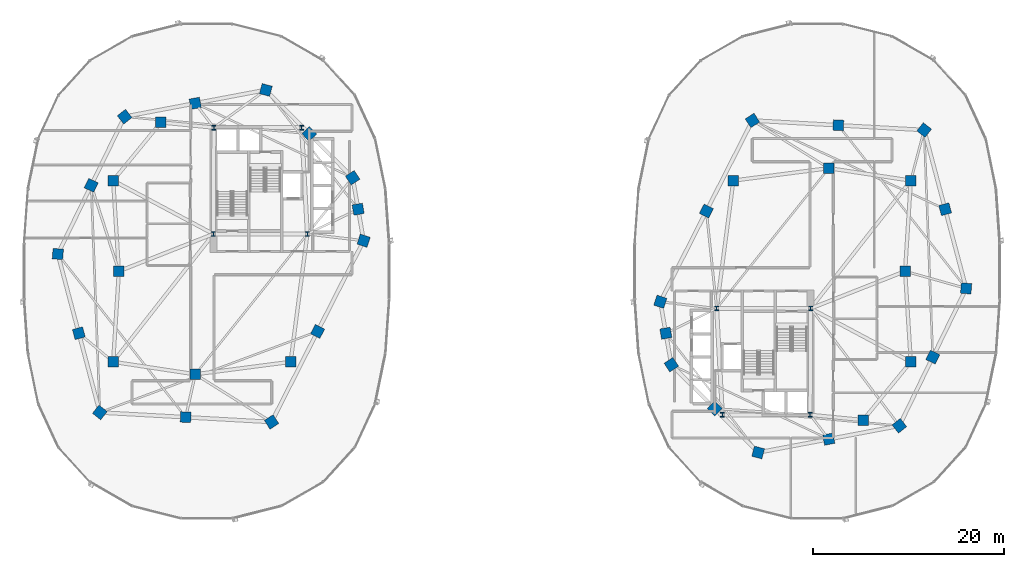
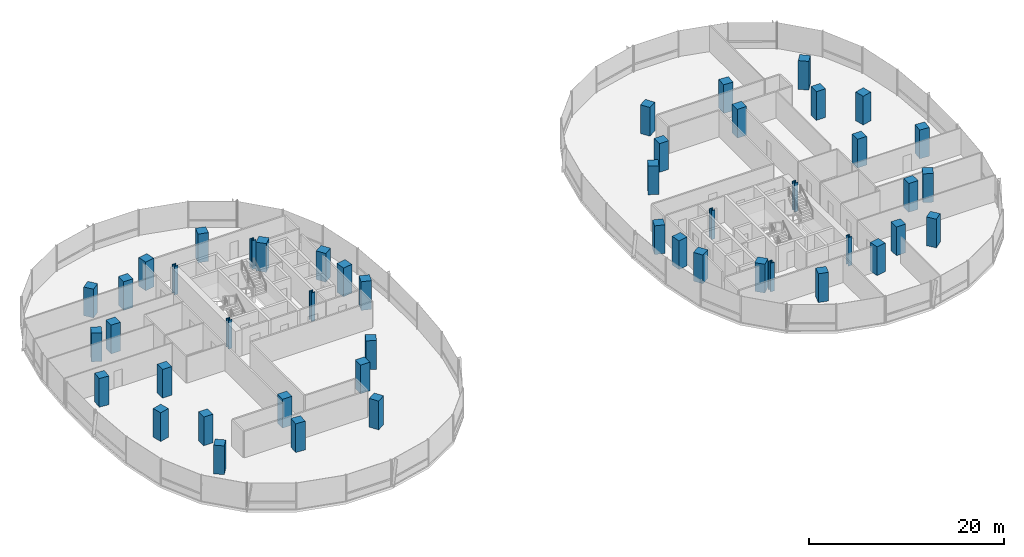
# One storey, part 1 of 21: 48 columns.
"""IFC4 building model written with IfcOpenShell, lengths in metres."""

from ifc_helpers import new_model, si_unit, direction, frame, origin, origin_2d, place, context, subcontext, project, spatial, rectangle, i_section, extrude, material, material_profile, profile_set, type_object, element, save


model = new_model("IFC4")

# Units and contexts
model_context = context("Model", 3, precision=1e-05, world=origin(), true_north=direction((0.0, 1.0)))
body_context = subcontext(model_context, "Body", "Model", "MODEL_VIEW")
ifc_project = project(units=[si_unit("LENGTHUNIT", "METRE"), si_unit("AREAUNIT", "SQUARE_METRE"), si_unit("VOLUMEUNIT", "CUBIC_METRE"), si_unit("PLANEANGLEUNIT", "RADIAN"), si_unit("MASSUNIT", "GRAM", prefix="KILO"), si_unit("THERMODYNAMICTEMPERATUREUNIT", "KELVIN"), si_unit("POWERUNIT", "WATT")], contexts=[model_context])

# Site, building, storey
site_placement = place(None, origin())
site = spatial("IfcSite", under=ifc_project, at=site_placement, CompositionType="ELEMENT")
building_placement = place(site_placement, origin())
building = spatial("IfcBuilding", under=site, at=building_placement, Name="Cundina Bronze Exchange", CompositionType="ELEMENT")
storey_placement = place(building_placement, frame((0.0, 0.0, 85.39990234375)))
storey = spatial("IfcBuildingStorey", under=building, at=storey_placement, Name="L21", CompositionType="ELEMENT", Elevation=85.39990234375)

# Columns
ifc_material_1 = material(Name="Steel ASTM A992 Grade 50", Category="steel")
ifc_material_profile_1 = material_profile(ifc_material_1, i_section(OverallWidth=0.431884765625, OverallDepth=0.498046875, WebThickness=0.0556640625, FlangeThickness=0.0888671875, FilletRadius=0.01806640625, at=origin_2d()), Name="W14X500", Category="steel")
ifc_profile_set_1 = profile_set([ifc_material_profile_1], Name="Steel ASTM A992 Grade 50")
column_type_1 = type_object("IfcColumnType", Name="COL-STL-W14A", PredefinedType="COLUMN", material=ifc_profile_set_1)
for number, where, z_axis, x_axis, name in (
    (1, (-31.300048828125, 3.89990234375, 0.0), (0.0, 0.0, 1.0), (1.0, 0.0, 0.0), "L21 Core Anchor Column W1"),
    (2, (-21.449951171875, 3.89990234375, 0.0), (0.0, 0.0, 1.0), (1.0, 0.0, 0.0), "L21 Core Anchor Column W2"),
    (3, (-22.050048828125, 15.050048828125, 0.0), (0.0, 0.0, 1.0), (1.0, 0.0, 0.0), "L21 Core Anchor Column W3"),
    (4, (-31.25, 15.050048828125, 0.0), (0.0, 0.0, 1.0), (1.0, 0.0, 0.0), "L21 Core Anchor Column W4"),
    (5, (31.300048828125, -3.89990234375, 0.0), (0.0, 0.0, 1.0), (1.0, 0.0, 0.0), "L21 Core Anchor Column E1"),
    (6, (21.449951171875, -3.89990234375, 0.0), (0.0, 0.0, 1.0), (1.0, 0.0, 0.0), "L21 Core Anchor Column E2"),
    (7, (22.050048828125, -15.050048828125, 0.0), (0.0, 0.0, 1.0), (1.0, 0.0, 0.0), "L21 Core Anchor Column E3"),
    (8, (31.25, -15.050048828125, 0.0), (0.0, 0.0, 1.0), (1.0, 0.0, 0.0), "L21 Core Anchor Column E4"),
):
    element("IfcColumn", number, at=place(storey_placement, frame(where, z_axis=z_axis, x_axis=x_axis)), inside=storey, type_object=column_type_1, Name=name, PredefinedType="COLUMN", context=body_context, shape_type="SweptSolid", body=[
        extrude(i_section(OverallWidth=0.431884765625, OverallDepth=0.498046875, WebThickness=0.0556640625, FlangeThickness=0.0888671875, FilletRadius=0.01806640625, at=origin_2d()), origin(), (0.0, 0.0, 1.0), 3.60009765625),
    ])
ifc_material_2 = material(Name="Concrete C60/75", Category="concrete")
ifc_material_profile_2 = material_profile(ifc_material_2, rectangle(XDim=1.10009765625, YDim=1.10009765625, at=origin_2d()), Name="RC1100X1100", Category="concrete")
ifc_profile_set_2 = profile_set([ifc_material_profile_2], Name="Concrete C60/75")
column_type_2 = type_object("IfcColumnType", Name="COL-Z2-1100", PredefinedType="COLUMN", material=ifc_profile_set_2)
for number, where, z_axis, x_axis, name in (
    (9, (-41.199951171875, 0.0, 0.0), (0.0, 0.0, 1.0), (1.0, 0.0, 0.0), "L21 W Inner Ring Column 1"),
    (10, (-41.800048828125, 9.5, 0.0), (0.0, 0.0, 1.0), (1.0, 0.0, 0.0), "L21 W Inner Ring Column 2"),
    (11, (-36.800048828125, 15.60009765625, 0.0), (0.0, 0.0, 1.0), (1.0, 0.0, 0.0), "L21 W Inner Ring Column 3"),
    (12, (-41.800048828125, -9.5, 0.0), (0.0, 0.0, 1.0), (1.0, 0.0, 0.0), "L21 W Inner Ring Column 4"),
    (13, (-33.199951171875, -10.800048828125, 0.0), (0.0, 0.0, 1.0), (1.0, 0.0, 0.0), "L21 W Inner Ring Column 5"),
    (14, (-23.199951171875, -9.5, 0.0), (0.0, 0.0, 1.0), (1.0, 0.0, 0.0), "L21 W Inner Ring Column 6"),
    (15, (41.199951171875, 0.0, 0.0), (0.0, 0.0, 1.0), (1.0, 0.0, 0.0), "L21 E Inner Ring Column 1"),
    (16, (41.800048828125, -9.5, 0.0), (0.0, 0.0, 1.0), (1.0, 0.0, 0.0), "L21 E Inner Ring Column 2"),
    (17, (36.800048828125, -15.60009765625, 0.0), (0.0, 0.0, 1.0), (1.0, 0.0, 0.0), "L21 E Inner Ring Column 3"),
    (18, (41.800048828125, 9.5, 0.0), (0.0, 0.0, 1.0), (1.0, 0.0, 0.0), "L21 E Inner Ring Column 4"),
    (19, (33.199951171875, 10.800048828125, 0.0), (0.0, 0.0, 1.0), (1.0, 0.0, 0.0), "L21 E Inner Ring Column 5"),
    (20, (23.199951171875, 9.5, 0.0), (0.0, 0.0, 1.0), (1.0, 0.0, 0.0), "L21 E Inner Ring Column 6"),
    (21, (-15.550048828125, 3.199951171875, 0.0), (0.0, 0.0, 1.0), (0.315152163383, 0.949041155016, 0.0), "L21 W Perimeter Column 00"),
    (22, (-16.125, 6.5, 0.0), (0.0, 0.0, 1.0), (-0.171585221787, 0.985169280715, 0.0), "L21 W Perimeter Column 01"),
    (23, (-16.699951171875, 9.800048828125, 0.0), (0.0, 0.0, 1.0), (-0.544199833495, 0.838955625301, 0.0), "L21 W Perimeter Column 02"),
    (24, (-21.25, 14.39990234375, 0.0), (0.0, 0.0, 1.0), (-0.703270634186, 0.710922228581, 0.0), "L21 W Perimeter Column 03"),
    (25, (-25.800048828125, 19.0, 0.0), (0.0, 0.0, 1.0), (-0.965970984022, 0.258650455301, 0.0), "L21 W Perimeter Column 04"),
    (26, (-33.199951171875, 17.60009765625, 0.0), (0.0, 0.0, 1.0), (-0.98258037664, -0.185838110843, 0.0), "L21 W Perimeter Column 05"),
    (27, (-40.60009765625, 16.199951171875, 0.0), (0.0, 0.0, 1.0), (-0.785100778485, -0.619368038909, 0.0), "L21 W Perimeter Column 06"),
    (28, (-44.10009765625, 9.0, 0.0), (0.0, 0.0, 1.0), (-0.437115766651, -0.899405251566, 0.0), "L21 W Perimeter Column 07"),
    (29, (-47.60009765625, 1.800048828125, 0.0), (0.0, 0.0, 1.0), (-0.083503921245, -0.996507448611, 0.0), "L21 W Perimeter Column 08"),
    (30, (-45.39990234375, -6.5, 0.0), (0.0, 0.0, 1.0), (0.256289373133, -0.966600102017, 0.0), "L21 W Perimeter Column 09"),
    (31, (-43.199951171875, -14.800048828125, 0.0), (0.0, 0.0, 1.0), (0.786288432137, -0.61785961309, 0.0), "L21 W Perimeter Column 10"),
    (32, (-34.199951171875, -15.300048828125, 0.0), (0.0, 0.0, 1.0), (0.998460188734, -0.055472980025, 0.0), "L21 W Perimeter Column 11"),
    (33, (-25.199951171875, -15.800048828125, 0.0), (0.0, 0.0, 1.0), (0.838099763533, 0.545516989988, 0.0), "L21 W Perimeter Column 12"),
    (34, (-20.375, -6.300048828125, 0.0), (0.0, 0.0, 1.0), (0.452901591366, 0.891560513111, 0.0), "L21 W Perimeter Column 13"),
    (35, (15.550048828125, -3.199951171875, 0.0), (0.0, 0.0, 1.0), (-0.315152163383, -0.949041155016, 0.0), "L21 E Perimeter Column 00"),
    (36, (16.125, -6.5, 0.0), (0.0, 0.0, 1.0), (0.171585221787, -0.985169280715, 0.0), "L21 E Perimeter Column 01"),
    (37, (16.699951171875, -9.800048828125, 0.0), (0.0, 0.0, 1.0), (0.544199833495, -0.838955625301, 0.0), "L21 E Perimeter Column 02"),
    (38, (21.25, -14.39990234375, 0.0), (0.0, 0.0, 1.0), (0.703270634186, -0.710922228581, 0.0), "L21 E Perimeter Column 03"),
    (39, (25.800048828125, -19.0, 0.0), (0.0, 0.0, 1.0), (0.965970984022, -0.258650455301, 0.0), "L21 E Perimeter Column 04"),
    (40, (33.199951171875, -17.60009765625, 0.0), (0.0, 0.0, 1.0), (0.98258037664, 0.185838110843, 0.0), "L21 E Perimeter Column 05"),
    (41, (40.60009765625, -16.199951171875, 0.0), (0.0, 0.0, 1.0), (0.785100778485, 0.619368038909, 0.0), "L21 E Perimeter Column 06"),
    (42, (44.10009765625, -9.0, 0.0), (0.0, 0.0, 1.0), (0.437115766651, 0.899405251566, 0.0), "L21 E Perimeter Column 07"),
    (43, (47.60009765625, -1.800048828125, 0.0), (0.0, 0.0, 1.0), (0.083503921245, 0.996507448611, 0.0), "L21 E Perimeter Column 08"),
    (44, (45.39990234375, 6.5, 0.0), (0.0, 0.0, 1.0), (-0.256289373133, 0.966600102017, 0.0), "L21 E Perimeter Column 09"),
    (45, (43.199951171875, 14.800048828125, 0.0), (0.0, 0.0, 1.0), (-0.786288432137, 0.61785961309, 0.0), "L21 E Perimeter Column 10"),
    (46, (34.199951171875, 15.300048828125, 0.0), (0.0, 0.0, 1.0), (-0.998460188734, 0.055472980025, 0.0), "L21 E Perimeter Column 11"),
    (47, (25.199951171875, 15.800048828125, 0.0), (0.0, 0.0, 1.0), (-0.838099763533, -0.545516989988, 0.0), "L21 E Perimeter Column 12"),
    (48, (20.375, 6.300048828125, 0.0), (0.0, 0.0, 1.0), (-0.452901591366, -0.891560513111, 0.0), "L21 E Perimeter Column 13"),
):
    element("IfcColumn", number, at=place(storey_placement, frame(where, z_axis=z_axis, x_axis=x_axis)), inside=storey, type_object=column_type_2, Name=name, PredefinedType="COLUMN", context=body_context, shape_type="SweptSolid", body=[
        extrude(rectangle(XDim=1.10009765625, YDim=1.10009765625, at=origin_2d()), origin(), (0.0, 0.0, 1.0), 3.60009765625),
    ])

save(model, "model.ifc")
